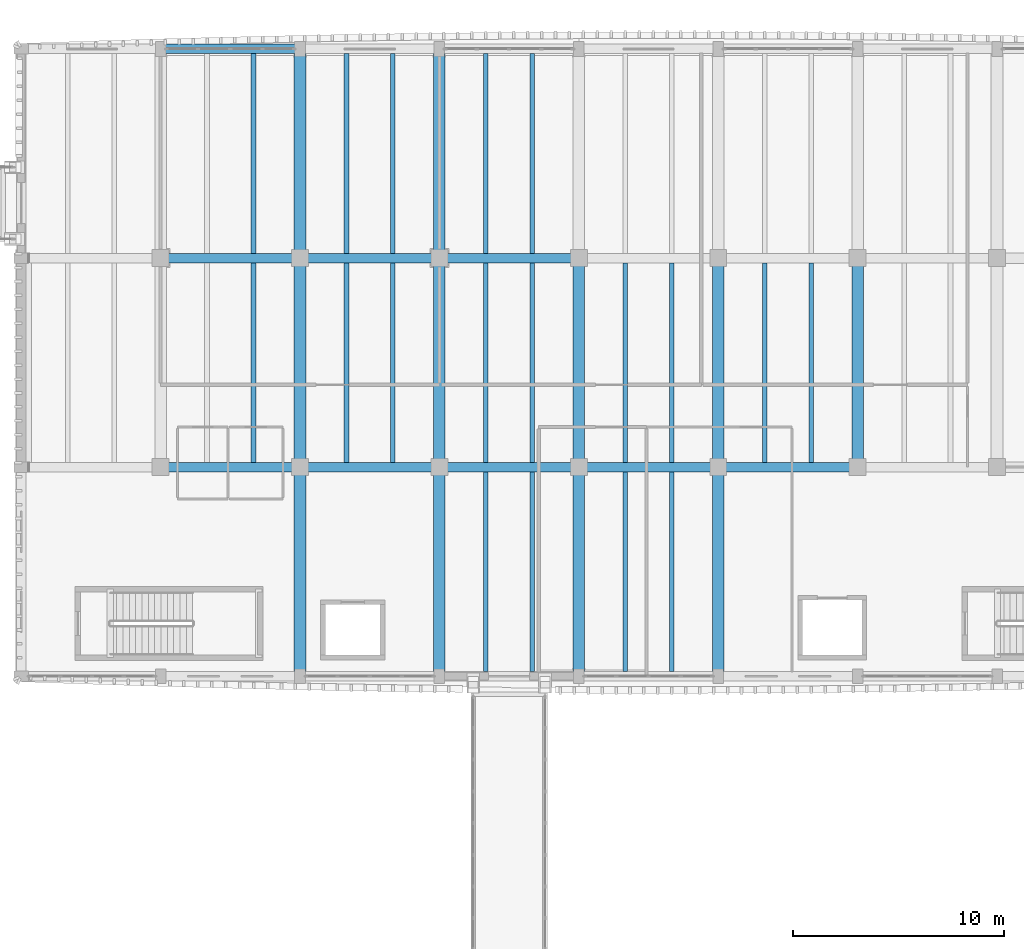
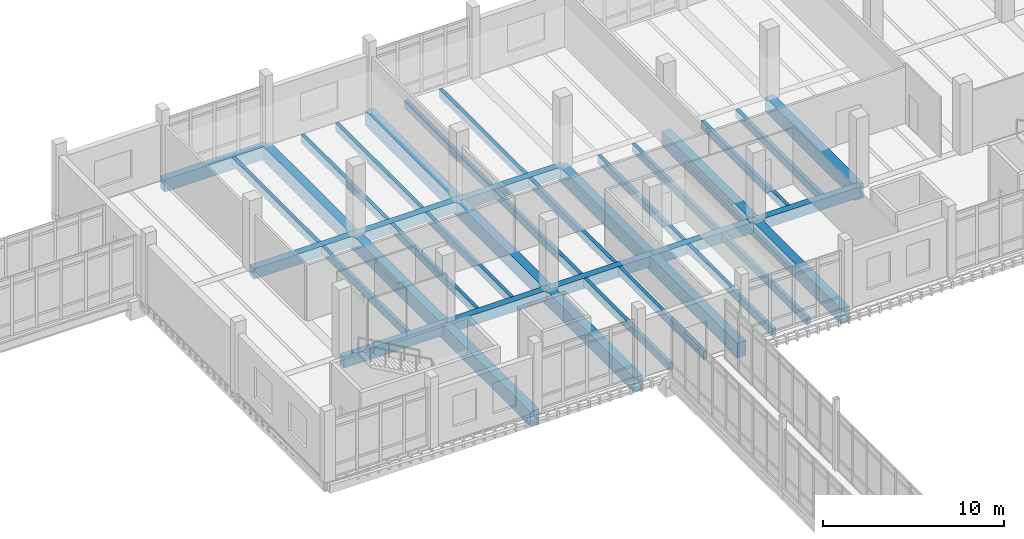
# One storey, part 60 of 125: 38 beams.
"""IFC4 building model written with IfcOpenShell, lengths in metres."""

import ifcopenshell
import ifcopenshell.guid

model = None  # the IFC model being written
_history = None  # IfcOwnerHistory: only IFC2X3 demands one
_inside = {}  # id of a spatial element -> (the spatial element, [elements in it])
_under = {}  # id of a project, library or spatial element -> (it, [spatial elements below it])
_declared = {}  # id of a project -> (the project, [libraries it declares])
_typed = {}  # id of a type object -> (the type object, [elements of that type])
_made_of = {}  # id of a material, layer set ... -> (it, [elements and type objects made of it])


def new_model(schema):
    """Start an empty IFC model of exactly this schema.

    Asked for "IFC4X3", IfcOpenShell would pick the latest addendum, in which some entities
    have other attributes; the version numbers below select the first issue.
    IFC2X3 requires an IfcOwnerHistory on every rooted entity: one is made here for all.
    """
    global model, _history
    if schema == "IFC4X3":
        model = ifcopenshell.file(schema_version=(4, 3, 0, 0))
    else:
        model = ifcopenshell.file(schema=schema)
    _inside.clear()
    _under.clear()
    _declared.clear()
    _typed.clear()
    _made_of.clear()
    _history = None
    if model.schema == "IFC2X3":
        org = make("IfcOrganization", Name="unknown")
        user = make(
            "IfcPersonAndOrganization",
            ThePerson=make("IfcPerson", FamilyName="unknown"),
            TheOrganization=org,
        )
        app = make(
            "IfcApplication",
            ApplicationDeveloper=org,
            Version="unknown",
            ApplicationFullName="unknown",
            ApplicationIdentifier="unknown",
        )
        _history = make(
            "IfcOwnerHistory",
            OwningUser=user,
            OwningApplication=app,
            ChangeAction="ADDED",
            CreationDate=0,
        )
    return model


def make(cls, **values):
    """One entity of the class cls with the attributes given. An attribute that is None is left unset."""
    return model.create_entity(
        cls, **{name: value for name, value in values.items() if value is not None}
    )


def rooted(cls, **values):
    """An entity with a GlobalId (a new one), such as an element, a storey or a relation."""
    return make(cls, GlobalId=ifcopenshell.guid.new(), OwnerHistory=_history, **values)


def si_unit(unit_type, name, prefix=None):
    """IfcSIUnit, for example si_unit("LENGTHUNIT", "METRE", prefix="MILLI")."""
    return make("IfcSIUnit", UnitType=unit_type, Prefix=prefix, Name=name)


def assignment(units):
    """IfcUnitAssignment: the units of a project."""
    return None if units is None else make("IfcUnitAssignment", Units=units)


def point(xyz):
    """IfcCartesianPoint."""
    return None if xyz is None else make("IfcCartesianPoint", Coordinates=xyz)


def direction(xyz):
    """IfcDirection."""
    return None if xyz is None else make("IfcDirection", DirectionRatios=xyz)


def frame(location, z_axis=None, x_axis=None):
    """IfcAxis2Placement3D, a coordinate frame: its origin and axes. An axis left out is left unset."""
    return make(
        "IfcAxis2Placement3D",
        Location=point(location),
        Axis=direction(z_axis),
        RefDirection=direction(x_axis),
    )


def frame_2d(location, x_axis=None):
    """IfcAxis2Placement2D, a coordinate frame in the plane: its origin and x axis."""
    return make(
        "IfcAxis2Placement2D", Location=point(location), RefDirection=direction(x_axis)
    )


def origin():
    """The frame at (0, 0, 0) with its axes left unset."""
    return frame((0.0, 0.0, 0.0))


def origin_2d():
    """The frame at (0, 0) in the plane with its x axis left unset."""
    return frame_2d((0.0, 0.0))


def place(relative_to, where):
    """IfcLocalPlacement: puts the frame where relative to a parent placement (None: the world)."""
    return make(
        "IfcLocalPlacement", PlacementRelTo=relative_to, RelativePlacement=where
    )


def context(
    kind, dimensions, precision=None, world=None, true_north=None, identifier=None
):
    """IfcGeometricRepresentationContext, for example the 3D "Model" context."""
    return make(
        "IfcGeometricRepresentationContext",
        ContextIdentifier=identifier,
        ContextType=kind,
        CoordinateSpaceDimension=dimensions,
        Precision=precision,
        WorldCoordinateSystem=world,
        TrueNorth=true_north,
    )


def subcontext(parent, identifier, kind, view, scale=None):
    """IfcGeometricRepresentationSubContext, for example "Body" below "Model"."""
    return make(
        "IfcGeometricRepresentationSubContext",
        ContextIdentifier=identifier,
        ContextType=kind,
        ParentContext=parent,
        TargetScale=scale,
        TargetView=view,
    )


def project(units=None, contexts=None):
    """IfcProject with its units and contexts."""
    return rooted(
        "IfcProject",
        Name="project",
        RepresentationContexts=contexts,
        UnitsInContext=assignment(units),
    )


def spatial(cls, under=None, at=None, **own):
    """A site, building, storey or space (cls), placed at a placement, below another one or the project."""
    s = rooted(cls, ObjectPlacement=at, **own)
    if under is not None:
        _under.setdefault(under.id(), (under, []))[1].append(s)
    return s


def profile(cls, at=None, kind="AREA", **sizes):
    """A parametric profile (cls). Its sizes go by their IFC names, for example OverallWidth=200.0."""
    return make(cls, ProfileType=kind, Position=at, **sizes)


def rectangle(**sizes):
    """IfcRectangleProfileDef."""
    return profile("IfcRectangleProfileDef", **sizes)


def extrude(swept, where, along, depth):
    """IfcExtrudedAreaSolid: the profile swept, set in the frame where, extruded along a direction by depth."""
    return make(
        "IfcExtrudedAreaSolid",
        SweptArea=swept,
        Position=where,
        ExtrudedDirection=direction(along),
        Depth=depth,
    )


def shape(context_of_items, identifier, shape_type, items):
    """IfcShapeRepresentation: the items that make up one representation, for example the "Body"."""
    return make(
        "IfcShapeRepresentation",
        ContextOfItems=context_of_items,
        RepresentationIdentifier=identifier,
        RepresentationType=shape_type,
        Items=items,
    )


def material(Name=None, Category=None):
    """IfcMaterial."""
    return make("IfcMaterial", Name=Name, Category=Category)


def material_profile(
    of_material, cross_section, Name=None, Category=None, Priority=None
):
    """IfcMaterialProfile: a cross section and its material."""
    return make(
        "IfcMaterialProfile",
        Name=Name,
        Material=of_material,
        Profile=cross_section,
        Priority=Priority,
        Category=Category,
    )


def profile_set(profiles, Name=None, composite=None):
    """IfcMaterialProfileSet."""
    return make(
        "IfcMaterialProfileSet",
        Name=Name,
        MaterialProfiles=profiles,
        CompositeProfile=composite,
    )


def made_of(thing, what):
    """Note that an element or type object is made of a material, layer set ...; save() writes the relation."""
    if what is not None:
        _made_of.setdefault(what.id(), (what, []))[1].append(thing)
    return thing


def type_object(cls, material=None, **own):
    """A type object (cls), such as IfcWallType, which elements share."""
    return made_of(rooted(cls, **own), material)


def element(
    cls,
    number,
    at=None,
    inside=None,
    cuts=None,
    type_object=None,
    material=None,
    context=None,
    identifier="Body",
    shape_type=None,
    held_by="IfcProductDefinitionShape",
    body=None,
    shapes=None,
    **own,
):
    """One element of the class cls, such as IfcWall. Its Tag is "e" and its number.

    at: its placement. inside: the storey or other place that contains it. cuts: it is an
    opening in that element (IfcRelVoidsElement). A single representation is given by context,
    identifier, shape_type and body (its items); several are given by shapes. held_by: the class
    of the entity that holds the representations. save() writes the other relations.
    """
    e = rooted(cls, Tag="e%d" % number, ObjectPlacement=at, **own)
    if body is not None:
        shapes = [shape(context, identifier, shape_type, body)]
    if shapes is not None:
        e.Representation = make(held_by, Representations=shapes)
    if inside is not None:
        _inside.setdefault(inside.id(), (inside, []))[1].append(e)
    if cuts is not None:
        rooted(
            "IfcRelVoidsElement", RelatingBuildingElement=cuts, RelatedOpeningElement=e
        )
    if type_object is not None:
        _typed.setdefault(type_object.id(), (type_object, []))[1].append(e)
    return made_of(e, material)


def aggregate(whole, parts):
    """IfcRelAggregates: a whole, such as a stair, and the parts it consists of."""
    return rooted("IfcRelAggregates", RelatingObject=whole, RelatedObjects=parts)


def save(model, path):
    """Write the relations noted so far, then the file.

    IfcRelAggregates (storeys below a building ...), IfcRelContainedInSpatialStructure (elements
    in a storey), IfcRelDefinesByType, IfcRelAssociatesMaterial and IfcRelDeclares: one each for
    every whole, place, type object, material and project.
    """
    for whole, parts in _under.values():
        aggregate(whole, parts)
    for where, things in _inside.values():
        rooted(
            "IfcRelContainedInSpatialStructure",
            RelatedElements=things,
            RelatingStructure=where,
        )
    for kind, things in _typed.values():
        rooted("IfcRelDefinesByType", RelatedObjects=things, RelatingType=kind)
    for what, things in _made_of.values():
        rooted("IfcRelAssociatesMaterial", RelatedObjects=things, RelatingMaterial=what)
    for by, libraries in _declared.values():
        rooted("IfcRelDeclares", RelatingContext=by, RelatedDefinitions=libraries)
    model.write(path)


model = new_model("IFC4")

# Units and contexts
model_context = context("Model", 3, precision=1e-05, world=origin(), true_north=direction((0.0, 1.0)))
body_context = subcontext(model_context, "Body", "Model", "MODEL_VIEW")
ifc_project = project(units=[si_unit("LENGTHUNIT", "METRE"), si_unit("AREAUNIT", "SQUARE_METRE"), si_unit("VOLUMEUNIT", "CUBIC_METRE"), si_unit("PLANEANGLEUNIT", "RADIAN"), si_unit("MASSUNIT", "GRAM", prefix="KILO")], contexts=[model_context])

# Site, building, storey
site_placement = place(None, origin())
site = spatial("IfcSite", under=ifc_project, at=site_placement, CompositionType="ELEMENT")
building_placement = place(site_placement, origin())
building = spatial("IfcBuilding", under=site, at=building_placement, Name="Dornvale Research Institute", CompositionType="ELEMENT")
storey_placement = place(building_placement, frame((0.0, 0.0, 5.39990234375)))
storey = spatial("IfcBuildingStorey", under=building, at=storey_placement, Name="L01", CompositionType="ELEMENT", Elevation=5.39990234375)

# Beams
ifc_material_1 = material(Name="Concrete f'c 45 MPa (C35/45)", Category="concrete")
ifc_material_profile_1 = material_profile(ifc_material_1, rectangle(XDim=0.449951171875, YDim=0.715087890625, at=origin_2d()), Name="RC 450x715")
ifc_profile_set_1 = profile_set([ifc_material_profile_1], Name="Concrete f'c 45 MPa (C35/45)")
beam_type_1 = type_object("IfcBeamType", Name="Beam_RC450x715_Lab", PredefinedType="BEAM", material=ifc_profile_set_1)
for number, where, z_axis, x_axis, name in (
    (1, (125.39990234375, 102.300048828125, -0.357421875), (1.0, 0.0, 0.0), (0.0, 1.0, 0.0), "L01 primary girder #364"),
    (2, (132.0, 102.300048828125, -0.357421875), (1.0, 0.0, 0.0), (0.0, 1.0, 0.0), "L01 primary girder #365"),
):
    element("IfcBeam", number, at=place(storey_placement, frame(where, z_axis=z_axis, x_axis=x_axis)), inside=storey, type_object=beam_type_1, Name=name, PredefinedType="BEAM", context=body_context, shape_type="SweptSolid", body=[
        extrude(rectangle(XDim=0.449951171875, YDim=0.715087890625, at=origin_2d()), origin(), (0.0, 0.0, 1.0), 6.60009765625),
    ])
beam_1_placement = place(storey_placement, frame((138.60009765625, 102.300048828125, -0.357421875), z_axis=(1.0, 0.0, 0.0), x_axis=(0.0, 1.0, 0.0)))
element("IfcBeam", 3, at=beam_1_placement, inside=storey, type_object=beam_type_1, Name="L01 primary girder #366", PredefinedType="BEAM", context=body_context, shape_type="SweptSolid", body=[
    extrude(rectangle(XDim=0.449951171875, YDim=0.715087890625, at=origin_2d()), origin(), (0.0, 0.0, 1.0), 6.599853515625),
])
beam_2_placement = place(storey_placement, frame((145.199951171875, 102.300048828125, -0.357421875), z_axis=(1.0, 0.0, 0.0), x_axis=(0.0, 1.0, 0.0)))
element("IfcBeam", 4, at=beam_2_placement, inside=storey, type_object=beam_type_1, Name="L01 primary girder #367", PredefinedType="BEAM", context=body_context, shape_type="SweptSolid", body=[
    extrude(rectangle(XDim=0.449951171875, YDim=0.715087890625, at=origin_2d()), origin(), (0.0, 0.0, 1.0), 6.60009765625),
])
beam_3_placement = place(storey_placement, frame((151.800048828125, 102.300048828125, -0.357421875), z_axis=(1.0, 0.0, 0.0), x_axis=(0.0, 1.0, 0.0)))
element("IfcBeam", 5, at=beam_3_placement, inside=storey, type_object=beam_type_1, Name="L01 primary girder #368", PredefinedType="BEAM", context=body_context, shape_type="SweptSolid", body=[
    extrude(rectangle(XDim=0.449951171875, YDim=0.715087890625, at=origin_2d()), origin(), (0.0, 0.0, 1.0), 6.599853515625),
])
for number, where, z_axis, x_axis, name in (
    (6, (125.39990234375, 112.199951171875, -0.357421875), (1.0, 0.0, 0.0), (0.0, 1.0, 0.0), "L01 primary girder #373"),
    (7, (132.0, 112.199951171875, -0.357421875), (1.0, 0.0, 0.0), (0.0, 1.0, 0.0), "L01 primary girder #374"),
):
    element("IfcBeam", number, at=place(storey_placement, frame(where, z_axis=z_axis, x_axis=x_axis)), inside=storey, type_object=beam_type_1, Name=name, PredefinedType="BEAM", context=body_context, shape_type="SweptSolid", body=[
        extrude(rectangle(XDim=0.449951171875, YDim=0.715087890625, at=origin_2d()), origin(), (0.0, 0.0, 1.0), 6.60009765625),
    ])
beam_4_placement = place(storey_placement, frame((138.60009765625, 112.199951171875, -0.357421875), z_axis=(1.0, 0.0, 0.0), x_axis=(0.0, 1.0, 0.0)))
element("IfcBeam", 8, at=beam_4_placement, inside=storey, type_object=beam_type_1, Name="L01 primary girder #375", PredefinedType="BEAM", context=body_context, shape_type="SweptSolid", body=[
    extrude(rectangle(XDim=0.449951171875, YDim=0.715087890625, at=origin_2d()), origin(), (0.0, 0.0, 1.0), 6.599853515625),
])
ifc_material_2 = material(Name="Concrete f'c 45 MPa (C35/45)", Category="concrete")
ifc_material_profile_2 = material_profile(ifc_material_2, rectangle(XDim=0.550048828125, YDim=1.0, at=origin_2d()), Name="RC 550x1000")
ifc_profile_set_2 = profile_set([ifc_material_profile_2], Name="Concrete f'c 45 MPa (C35/45)")
beam_type_2 = type_object("IfcBeamType", Name="Beam_RC550x1000_Girder", PredefinedType="BEAM", material=ifc_profile_set_2)
beam_5_placement = place(storey_placement, frame((132.0, 92.39990234375, -0.5), z_axis=(0.0, 1.0, 0.0), x_axis=(-1.0, 0.0, 0.0)))
element("IfcBeam", 9, at=beam_5_placement, inside=storey, type_object=beam_type_2, Name="L01 transverse girder #395", PredefinedType="BEAM", context=body_context, shape_type="SweptSolid", body=[
    extrude(rectangle(XDim=0.550048828125, YDim=1.0, at=origin_2d()), origin(), (0.0, 0.0, 1.0), 9.900146484375),
])
beam_6_placement = place(storey_placement, frame((132.0, 102.300048828125, -0.5), z_axis=(0.0, 1.0, 0.0), x_axis=(-1.0, 0.0, 0.0)))
element("IfcBeam", 10, at=beam_6_placement, inside=storey, type_object=beam_type_2, Name="L01 transverse girder #396", PredefinedType="BEAM", context=body_context, shape_type="SweptSolid", body=[
    extrude(rectangle(XDim=0.550048828125, YDim=1.0, at=origin_2d()), origin(), (0.0, 0.0, 1.0), 9.89990234375),
])
for number, where, z_axis, x_axis, name in (
    (11, (132.0, 112.199951171875, -0.5), (0.0, 1.0, 0.0), (-1.0, 0.0, 0.0), "L01 transverse girder #397"),
    (12, (138.60009765625, 92.39990234375, -0.5), (0.0, 1.0, 0.0), (-1.0, 0.0, 0.0), "L01 transverse girder #398"),
):
    element("IfcBeam", number, at=place(storey_placement, frame(where, z_axis=z_axis, x_axis=x_axis)), inside=storey, type_object=beam_type_2, Name=name, PredefinedType="BEAM", context=body_context, shape_type="SweptSolid", body=[
        extrude(rectangle(XDim=0.550048828125, YDim=1.0, at=origin_2d()), origin(), (0.0, 0.0, 1.0), 9.900146484375),
    ])
beam_7_placement = place(storey_placement, frame((138.60009765625, 102.300048828125, -0.5), z_axis=(0.0, 1.0, 0.0), x_axis=(-1.0, 0.0, 0.0)))
element("IfcBeam", 13, at=beam_7_placement, inside=storey, type_object=beam_type_2, Name="L01 transverse girder #399", PredefinedType="BEAM", context=body_context, shape_type="SweptSolid", body=[
    extrude(rectangle(XDim=0.550048828125, YDim=1.0, at=origin_2d()), origin(), (0.0, 0.0, 1.0), 9.89990234375),
])
for number, where, z_axis, x_axis, name in (
    (14, (138.60009765625, 112.199951171875, -0.5), (0.0, 1.0, 0.0), (-1.0, 0.0, 0.0), "L01 transverse girder #400"),
    (15, (145.199951171875, 92.39990234375, -0.5), (0.0, 1.0, 0.0), (-1.0, 0.0, 0.0), "L01 transverse girder #401"),
):
    element("IfcBeam", number, at=place(storey_placement, frame(where, z_axis=z_axis, x_axis=x_axis)), inside=storey, type_object=beam_type_2, Name=name, PredefinedType="BEAM", context=body_context, shape_type="SweptSolid", body=[
        extrude(rectangle(XDim=0.550048828125, YDim=1.0, at=origin_2d()), origin(), (0.0, 0.0, 1.0), 9.900146484375),
    ])
beam_8_placement = place(storey_placement, frame((145.199951171875, 102.300048828125, -0.5), z_axis=(0.0, 1.0, 0.0), x_axis=(-1.0, 0.0, 0.0)))
element("IfcBeam", 16, at=beam_8_placement, inside=storey, type_object=beam_type_2, Name="L01 transverse girder #402", PredefinedType="BEAM", context=body_context, shape_type="SweptSolid", body=[
    extrude(rectangle(XDim=0.550048828125, YDim=1.0, at=origin_2d()), origin(), (0.0, 0.0, 1.0), 9.89990234375),
])
beam_9_placement = place(storey_placement, frame((151.800048828125, 92.39990234375, -0.5), z_axis=(0.0, 1.0, 0.0), x_axis=(-1.0, 0.0, 0.0)))
element("IfcBeam", 17, at=beam_9_placement, inside=storey, type_object=beam_type_2, Name="L01 transverse girder #404", PredefinedType="BEAM", context=body_context, shape_type="SweptSolid", body=[
    extrude(rectangle(XDim=0.550048828125, YDim=1.0, at=origin_2d()), origin(), (0.0, 0.0, 1.0), 9.900146484375),
])
for number, where, z_axis, x_axis, name in (
    (18, (151.800048828125, 102.300048828125, -0.5), (0.0, 1.0, 0.0), (-1.0, 0.0, 0.0), "L01 transverse girder #405"),
    (19, (158.39990234375, 102.300048828125, -0.5), (0.0, 1.0, 0.0), (-1.0, 0.0, 0.0), "L01 transverse girder #407"),
):
    element("IfcBeam", number, at=place(storey_placement, frame(where, z_axis=z_axis, x_axis=x_axis)), inside=storey, type_object=beam_type_2, Name=name, PredefinedType="BEAM", context=body_context, shape_type="SweptSolid", body=[
        extrude(rectangle(XDim=0.550048828125, YDim=1.0, at=origin_2d()), origin(), (0.0, 0.0, 1.0), 9.89990234375),
    ])
ifc_material_3 = material(Name="Concrete f'c 45 MPa (C35/45)", Category="concrete")
ifc_material_profile_3 = material_profile(ifc_material_3, rectangle(XDim=0.219970703125, YDim=0.534912109375, at=origin_2d()), Name="RC 220x535")
ifc_profile_set_3 = profile_set([ifc_material_profile_3], Name="Concrete f'c 45 MPa (C35/45)")
beam_type_3 = type_object("IfcBeamType", Name="Joist_RC220x535_Waffle", PredefinedType="JOIST", material=ifc_profile_set_3)
beam_10_placement = place(storey_placement, frame((129.800048828125, 102.52490234375, -0.267333984375), z_axis=(0.0, 1.0, 0.0), x_axis=(-1.0, 0.0, 0.0)))
element("IfcBeam", 20, at=beam_10_placement, inside=storey, type_object=beam_type_3, Name="L01 laboratory waffle joist #181", PredefinedType="JOIST", context=body_context, shape_type="SweptSolid", body=[
    extrude(rectangle(XDim=0.219970703125, YDim=0.534912109375, at=origin_2d()), origin(), (0.0, 0.0, 1.0), 9.4501953125),
])
beam_11_placement = place(storey_placement, frame((129.800048828125, 112.425048828125, -0.267333984375), z_axis=(0.0, 1.0, 0.0), x_axis=(-1.0, 0.0, 0.0)))
element("IfcBeam", 21, at=beam_11_placement, inside=storey, type_object=beam_type_3, Name="L01 laboratory waffle joist #183", PredefinedType="JOIST", context=body_context, shape_type="SweptSolid", body=[
    extrude(rectangle(XDim=0.219970703125, YDim=0.534912109375, at=origin_2d()), origin(), (0.0, 0.0, 1.0), 9.449951171875),
])
for number, where, z_axis, x_axis, name in (
    (22, (134.199951171875, 102.52490234375, -0.267333984375), (0.0, 1.0, 0.0), (-1.0, 0.0, 0.0), "L01 laboratory waffle joist #184"),
    (23, (136.39990234375, 102.52490234375, -0.267333984375), (0.0, 1.0, 0.0), (-1.0, 0.0, 0.0), "L01 laboratory waffle joist #185"),
):
    element("IfcBeam", number, at=place(storey_placement, frame(where, z_axis=z_axis, x_axis=x_axis)), inside=storey, type_object=beam_type_3, Name=name, PredefinedType="JOIST", context=body_context, shape_type="SweptSolid", body=[
        extrude(rectangle(XDim=0.219970703125, YDim=0.534912109375, at=origin_2d()), origin(), (0.0, 0.0, 1.0), 9.4501953125),
    ])
for number, where, z_axis, x_axis, name in (
    (24, (134.199951171875, 112.425048828125, -0.267333984375), (0.0, 1.0, 0.0), (-1.0, 0.0, 0.0), "L01 laboratory waffle joist #186"),
    (25, (136.39990234375, 112.425048828125, -0.267333984375), (0.0, 1.0, 0.0), (-1.0, 0.0, 0.0), "L01 laboratory waffle joist #187"),
    (26, (140.800048828125, 92.625, -0.267333984375), (0.0, 1.0, 0.0), (-1.0, 0.0, 0.0), "L01 laboratory waffle joist #188"),
    (27, (143.0, 92.625, -0.267333984375), (0.0, 1.0, 0.0), (-1.0, 0.0, 0.0), "L01 laboratory waffle joist #189"),
):
    element("IfcBeam", number, at=place(storey_placement, frame(where, z_axis=z_axis, x_axis=x_axis)), inside=storey, type_object=beam_type_3, Name=name, PredefinedType="JOIST", context=body_context, shape_type="SweptSolid", body=[
        extrude(rectangle(XDim=0.219970703125, YDim=0.534912109375, at=origin_2d()), origin(), (0.0, 0.0, 1.0), 9.449951171875),
    ])
for number, where, z_axis, x_axis, name in (
    (28, (140.800048828125, 102.52490234375, -0.267333984375), (0.0, 1.0, 0.0), (-1.0, 0.0, 0.0), "L01 laboratory waffle joist #190"),
    (29, (143.0, 102.52490234375, -0.267333984375), (0.0, 1.0, 0.0), (-1.0, 0.0, 0.0), "L01 laboratory waffle joist #191"),
):
    element("IfcBeam", number, at=place(storey_placement, frame(where, z_axis=z_axis, x_axis=x_axis)), inside=storey, type_object=beam_type_3, Name=name, PredefinedType="JOIST", context=body_context, shape_type="SweptSolid", body=[
        extrude(rectangle(XDim=0.219970703125, YDim=0.534912109375, at=origin_2d()), origin(), (0.0, 0.0, 1.0), 9.4501953125),
    ])
for number, where, z_axis, x_axis, name in (
    (30, (140.800048828125, 112.425048828125, -0.267333984375), (0.0, 1.0, 0.0), (-1.0, 0.0, 0.0), "L01 laboratory waffle joist #192"),
    (31, (143.0, 112.425048828125, -0.267333984375), (0.0, 1.0, 0.0), (-1.0, 0.0, 0.0), "L01 laboratory waffle joist #193"),
    (32, (147.39990234375, 92.625, -0.267333984375), (0.0, 1.0, 0.0), (-1.0, 0.0, 0.0), "L01 laboratory waffle joist #194"),
    (33, (149.60009765625, 92.625, -0.267333984375), (0.0, 1.0, 0.0), (-1.0, 0.0, 0.0), "L01 laboratory waffle joist #195"),
):
    element("IfcBeam", number, at=place(storey_placement, frame(where, z_axis=z_axis, x_axis=x_axis)), inside=storey, type_object=beam_type_3, Name=name, PredefinedType="JOIST", context=body_context, shape_type="SweptSolid", body=[
        extrude(rectangle(XDim=0.219970703125, YDim=0.534912109375, at=origin_2d()), origin(), (0.0, 0.0, 1.0), 9.449951171875),
    ])
for number, where, z_axis, x_axis, name in (
    (34, (147.39990234375, 102.52490234375, -0.267333984375), (0.0, 1.0, 0.0), (-1.0, 0.0, 0.0), "L01 laboratory waffle joist #196"),
    (35, (149.60009765625, 102.52490234375, -0.267333984375), (0.0, 1.0, 0.0), (-1.0, 0.0, 0.0), "L01 laboratory waffle joist #197"),
    (36, (154.0, 102.52490234375, -0.267333984375), (0.0, 1.0, 0.0), (-1.0, 0.0, 0.0), "L01 laboratory waffle joist #200"),
    (37, (156.199951171875, 102.52490234375, -0.267333984375), (0.0, 1.0, 0.0), (-1.0, 0.0, 0.0), "L01 laboratory waffle joist #201"),
):
    element("IfcBeam", number, at=place(storey_placement, frame(where, z_axis=z_axis, x_axis=x_axis)), inside=storey, type_object=beam_type_3, Name=name, PredefinedType="JOIST", context=body_context, shape_type="SweptSolid", body=[
        extrude(rectangle(XDim=0.219970703125, YDim=0.534912109375, at=origin_2d()), origin(), (0.0, 0.0, 1.0), 9.4501953125),
    ])
ifc_material_4 = material(Name="Concrete f'c 45 MPa (C35/45)", Category="concrete")
ifc_material_profile_4 = material_profile(ifc_material_4, rectangle(XDim=0.449951171875, YDim=0.85009765625, at=origin_2d()), Name="RC 450x850")
ifc_profile_set_4 = profile_set([ifc_material_profile_4], Name="Concrete f'c 45 MPa (C35/45)")
beam_type_4 = type_object("IfcBeamType", Name="Spandrel_RC450x850_Ext", PredefinedType="SPANDREL", material=ifc_profile_set_4)
beam_12_placement = place(storey_placement, frame((125.39990234375, 122.10009765625, -0.4248046875), z_axis=(1.0, 0.0, 0.0), x_axis=(0.0, 1.0, 0.0)))
element("IfcBeam", 38, at=beam_12_placement, inside=storey, type_object=beam_type_4, Name="L01 perimeter spandrel #382", PredefinedType="SPANDREL", context=body_context, shape_type="SweptSolid", body=[
    extrude(rectangle(XDim=0.449951171875, YDim=0.85009765625, at=origin_2d()), origin(), (0.0, 0.0, 1.0), 6.60009765625),
])

save(model, "model.ifc")
